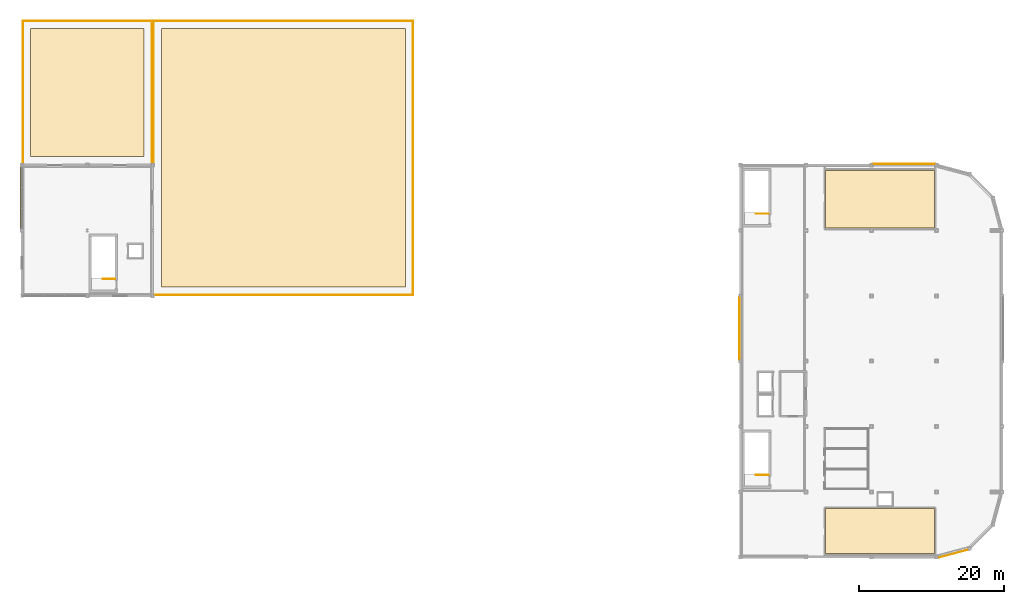
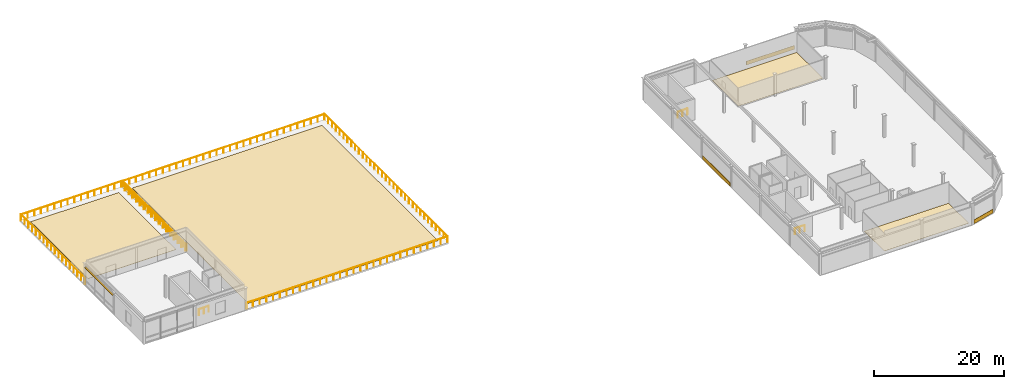
# One storey, part 13 of 14: 10 railings, 7 coverings, 1 shading device.
"""IFC4 building model written with IfcOpenShell, lengths in metres."""

from ifc_helpers import new_model, si_unit, direction, frame, origin, origin_2d, place, context, subcontext, project, spatial, polyline, rectangle, circle, outline, extrude, material, layer, layer_set, material_profile, profile_set, type_object, element, save


model = new_model("IFC4")

# Units and contexts
model_context = context("Model", 3, precision=1e-05, world=origin(), true_north=direction((0.0, 1.0)))
body_context = subcontext(model_context, "Body", "Model", "MODEL_VIEW")
ifc_project = project(units=[si_unit("LENGTHUNIT", "METRE"), si_unit("AREAUNIT", "SQUARE_METRE"), si_unit("VOLUMEUNIT", "CUBIC_METRE"), si_unit("PLANEANGLEUNIT", "RADIAN"), si_unit("MASSUNIT", "GRAM", prefix="KILO")], contexts=[model_context])

# Site, building, storey
site_placement = place(None, origin())
site = spatial("IfcSite", under=ifc_project, at=site_placement, CompositionType="ELEMENT")
building_placement = place(site_placement, origin())
building = spatial("IfcBuilding", under=site, at=building_placement, Name="Suzunagisa Mobility Hub", CompositionType="ELEMENT")
storey_placement = place(building_placement, frame((0.0, 0.0, 26.10009765625)))
storey = spatial("IfcBuildingStorey", under=building, at=storey_placement, Name="L06", CompositionType="ELEMENT", Elevation=26.10009765625)

# Railings
ifc_material_1 = material(Name="Stainless Steel SUS304", Category="metal")
railing_type_1 = type_object("IfcRailingType", Name="Interior Well Guardrail IGR-01", PredefinedType="GUARDRAIL", material=ifc_material_1)
for number, where, name in (
    (1, (57.840087890625, 82.31005859375, 0.0), "L06 ST-07 top well guard 1"),
    (2, (147.840087890625, 55.31005859375, 0.0), "L06 ST-11 top well guard 1"),
    (3, (147.840087890625, 91.31005859375, 0.0), "L06 ST-12 top well guard 1"),
):
    element("IfcRailing", number, at=place(storey_placement, frame(where)), inside=storey, type_object=railing_type_1, Name=name, PredefinedType="GUARDRAIL", context=body_context, shape_type="SweptSolid", body=[
        extrude(circle(Radius=0.02392578125, at=origin_2d()), frame((0.0, 0.0, 1.09619140625), z_axis=(-1.0, 0.0, 0.0), x_axis=(0.0, -1.0, 0.0)), (0.0, 0.0, 1.0), 1.719970703125),
        extrude(circle(Radius=0.02099609375, at=origin_2d()), origin(), (0.0, 0.0, 1.0), 1.072021484375),
        extrude(circle(Radius=0.02099609375, at=origin_2d()), frame((-0.85986328125, 0.0, 0.0)), (0.0, 0.0, 1.0), 1.072021484375),
        extrude(circle(Radius=0.02099609375, at=origin_2d()), frame((-1.719970703125, 0.0, 0.0)), (0.0, 0.0, 1.0), 1.072021484375),
    ])

# Coverings
ifc_material_2 = material(Name="Polished Aggregate Terrazzo Finish")
ifc_layer_1 = layer(ifc_material_2, 0.02001953125)
ifc_layer_set_1 = layer_set([ifc_layer_1], Name="Polished Aggregate Terrazzo Finish")
covering_type_1 = type_object("IfcCoveringType", Name="Polished Terrazzo Heavy-Traffic Flooring FLR-01", PredefinedType="FLOORING", material=ifc_layer_set_1)
covering_1_placement = place(storey_placement, origin())
element("IfcCovering", 4, at=covering_1_placement, inside=storey, type_object=covering_type_1, Name="L06 Rooftop Sports Club Spectator Lounge Terrazzo Flooring", PredefinedType="FLOORING", context=body_context, shape_type="SweptSolid", body=[
    extrude(outline(polyline([(155.719970703125, 44.52001953125), (155.719970703125, 50.679931640625), (170.679931640625, 50.679931640625), (170.679931640625, 44.52001953125), (155.719970703125, 44.52001953125)])), origin(), (0.0, 0.0, 1.0), 0.02001953125),
])
covering_2_placement = place(storey_placement, origin())
element("IfcCovering", 5, at=covering_2_placement, inside=storey, type_object=covering_type_1, Name="L06 Sports Court Equipment and Timing Control Room Terrazzo Flooring", PredefinedType="FLOORING", context=body_context, shape_type="SweptSolid", body=[
    extrude(outline(polyline([(155.719970703125, 97.280029296875), (170.679931640625, 97.280029296875), (170.679931640625, 89.320068359375), (155.719970703125, 89.320068359375), (155.719970703125, 97.280029296875)])), origin(), (0.0, 0.0, 1.0), 0.02001953125),
])
ifc_material_3 = material(Name="Vitreous Porcelain Enamel Aluminum Cladding", Category="aluminium")
ifc_layer_2 = layer(ifc_material_3, 0.034912109375)
ifc_layer_set_2 = layer_set([ifc_layer_2], Name="Vitreous Porcelain Enamel Aluminum Cladding")
covering_type_2 = type_object("IfcCoveringType", Name="Porcelain Enamel Spandrel Cladding Band CLD-01", PredefinedType="CLADDING", material=ifc_layer_set_2)
covering_3_placement = place(storey_placement, frame((173.283935546875, 44.469482421875, 0.06005859375), z_axis=(0.0, 0.0, 1.0), x_axis=(0.965929148412, 0.258806646451, 0.0)))
element("IfcCovering", 6, at=covering_3_placement, inside=storey, type_object=covering_type_2, Name="L06 Porcelain Spandrel Cladding Band CLD-52", PredefinedType="CLADDING", context=body_context, shape_type="SweptSolid", body=[
    extrude(rectangle(XDim=4.126708984375, YDim=0.034912109375, at=origin_2d()), origin(), (0.0, 0.0, 1.0), 0.719970703125),
])
for number, where, z_axis, x_axis, name in (
    (7, (166.5, 98.157470703125, 0.06005859375), (0.0, 0.0, 1.0), (-1.0, 0.0, 0.0), "L06 Porcelain Spandrel Cladding Band CLD-54"),
    (8, (143.8525390625, 75.5, 0.06005859375), (0.0, 0.0, 1.0), (0.0, -1.0, 0.0), "L06 Porcelain Spandrel Cladding Band CLD-55"),
):
    element("IfcCovering", number, at=place(storey_placement, frame(where, z_axis=z_axis, x_axis=x_axis)), inside=storey, type_object=covering_type_2, Name=name, PredefinedType="CLADDING", context=body_context, shape_type="SweptSolid", body=[
        extrude(rectangle(XDim=8.550048828125, YDim=0.034912109375, at=origin_2d()), origin(), (0.0, 0.0, 1.0), 0.719970703125),
    ])

# Shading device
ifc_material_4 = material(Name="Fluoropolymer-Coated Extruded Aluminum 6063-T5", Category="aluminium")
ifc_material_profile = material_profile(ifc_material_4, rectangle(XDim=0.280029296875, YDim=0.044921875, at=origin_2d()), Name="FIN-280x45")
ifc_profile_set = profile_set([ifc_material_profile], Name="Fluoropolymer-Coated Extruded Aluminum 6063-T5")
shading_device_type = type_object("IfcShadingDeviceType", Name="Streamline Aluminum Sunshade SF-02 FIN-280x45", PredefinedType="JALOUSIE", material=ifc_profile_set)
shading_device_placement = place(storey_placement, frame((44.892578125, 97.794921875, 3.489990234375), z_axis=(0.0, -1.0, 0.0), x_axis=(1.0, 0.0, 0.0)))
element("IfcShadingDevice", 9, at=shading_device_placement, inside=storey, type_object=shading_device_type, Name="L06 Streamline Speed-Rail Sunshade Fin SF-30", PredefinedType="JALOUSIE", context=body_context, shape_type="SweptSolid", body=[
    extrude(rectangle(XDim=0.280029296875, YDim=0.044921875, at=origin_2d()), origin(), (0.0, 0.0, 1.0), 8.58984375),
])

# Railings
ifc_material_5 = material(Name="Anodized Aluminum and Stainless Steel SUS316", Category="metal")
railing_type_2 = type_object("IfcRailingType", Name="Streamline Ship-Deck Tubular Balustrade BL-01", PredefinedType="BALUSTRADE", material=ifc_material_5)
railing_1_placement = place(storey_placement, frame((45.1201171875, 98.25, 0.0)))
element("IfcRailing", 10, at=railing_1_placement, inside=storey, type_object=railing_type_2, Name="L06 Terrace Perimeter Guardrail GR-42", PredefinedType="BALUSTRADE", context=body_context, shape_type="SweptSolid", body=[
    extrude(circle(Radius=0.02392578125, at=origin_2d()), frame((0.0, 0.0, 1.11572265625), z_axis=(0.0, 1.0, 0.0), x_axis=(-1.0, 0.0, 0.0)), (0.0, 0.0, 1.0), 19.6298828125),
    extrude(circle(Radius=0.02099609375, at=origin_2d()), origin(), (0.0, 0.0, 1.0), 1.091796875),
    extrude(circle(Radius=0.02099609375, at=origin_2d()), frame((0.0, 1.15478515625, 0.0)), (0.0, 0.0, 1.0), 1.091796875),
    extrude(circle(Radius=0.02099609375, at=origin_2d()), frame((0.0, 2.309326171875, 0.0)), (0.0, 0.0, 1.0), 1.091796875),
    extrude(circle(Radius=0.02099609375, at=origin_2d()), frame((0.0, 3.464111328125, 0.0)), (0.0, 0.0, 1.0), 1.091796875),
    extrude(circle(Radius=0.02099609375, at=origin_2d()), frame((0.0, 4.618896484375, 0.0)), (0.0, 0.0, 1.0), 1.091796875),
    extrude(circle(Radius=0.02099609375, at=origin_2d()), frame((0.0, 5.7734375, 0.0)), (0.0, 0.0, 1.0), 1.091796875),
    extrude(circle(Radius=0.02099609375, at=origin_2d()), frame((0.0, 6.92822265625, 0.0)), (0.0, 0.0, 1.0), 1.091796875),
    extrude(circle(Radius=0.02099609375, at=origin_2d()), frame((0.0, 8.0830078125, 0.0)), (0.0, 0.0, 1.0), 1.091796875),
    extrude(circle(Radius=0.02099609375, at=origin_2d()), frame((0.0, 9.237548828125, 0.0)), (0.0, 0.0, 1.0), 1.091796875),
    extrude(circle(Radius=0.02099609375, at=origin_2d()), frame((0.0, 10.392333984375, 0.0)), (0.0, 0.0, 1.0), 1.091796875),
    extrude(circle(Radius=0.02099609375, at=origin_2d()), frame((0.0, 11.546875, 0.0)), (0.0, 0.0, 1.0), 1.091796875),
    extrude(circle(Radius=0.02099609375, at=origin_2d()), frame((0.0, 12.70166015625, 0.0)), (0.0, 0.0, 1.0), 1.091796875),
    extrude(circle(Radius=0.02099609375, at=origin_2d()), frame((0.0, 13.8564453125, 0.0)), (0.0, 0.0, 1.0), 1.091796875),
    extrude(circle(Radius=0.02099609375, at=origin_2d()), frame((0.0, 15.010986328125, 0.0)), (0.0, 0.0, 1.0), 1.091796875),
    extrude(circle(Radius=0.02099609375, at=origin_2d()), frame((0.0, 16.165771484375, 0.0)), (0.0, 0.0, 1.0), 1.091796875),
    extrude(circle(Radius=0.02099609375, at=origin_2d()), frame((0.0, 17.320556640625, 0.0)), (0.0, 0.0, 1.0), 1.091796875),
    extrude(circle(Radius=0.02099609375, at=origin_2d()), frame((0.0, 18.47509765625, 0.0)), (0.0, 0.0, 1.0), 1.091796875),
    extrude(circle(Radius=0.02099609375, at=origin_2d()), frame((0.0, 19.6298828125, 0.0)), (0.0, 0.0, 1.0), 1.091796875),
])
railing_2_placement = place(storey_placement, frame((45.1201171875, 117.8798828125, 0.0)))
element("IfcRailing", 11, at=railing_2_placement, inside=storey, type_object=railing_type_2, Name="L06 Terrace Perimeter Guardrail GR-43", PredefinedType="BALUSTRADE", context=body_context, shape_type="SweptSolid", body=[
    extrude(circle(Radius=0.02392578125, at=origin_2d()), frame((0.0, 0.0, 1.11572265625), z_axis=(1.0, 0.0, 0.0), x_axis=(0.0, 1.0, 0.0)), (0.0, 0.0, 1.0), 17.759765625),
    extrude(circle(Radius=0.02099609375, at=origin_2d()), origin(), (0.0, 0.0, 1.0), 1.091796875),
    extrude(circle(Radius=0.02099609375, at=origin_2d()), frame((1.18408203125, 0.0, 0.0)), (0.0, 0.0, 1.0), 1.091796875),
    extrude(circle(Radius=0.02099609375, at=origin_2d()), frame((2.367919921875, 0.0, 0.0)), (0.0, 0.0, 1.0), 1.091796875),
    extrude(circle(Radius=0.02099609375, at=origin_2d()), frame((3.552001953125, 0.0, 0.0)), (0.0, 0.0, 1.0), 1.091796875),
    extrude(circle(Radius=0.02099609375, at=origin_2d()), frame((4.73583984375, 0.0, 0.0)), (0.0, 0.0, 1.0), 1.091796875),
    extrude(circle(Radius=0.02099609375, at=origin_2d()), frame((5.919921875, 0.0, 0.0)), (0.0, 0.0, 1.0), 1.091796875),
    extrude(circle(Radius=0.02099609375, at=origin_2d()), frame((7.10400390625, 0.0, 0.0)), (0.0, 0.0, 1.0), 1.091796875),
    extrude(circle(Radius=0.02099609375, at=origin_2d()), frame((8.287841796875, 0.0, 0.0)), (0.0, 0.0, 1.0), 1.091796875),
    extrude(circle(Radius=0.02099609375, at=origin_2d()), frame((9.471923828125, 0.0, 0.0)), (0.0, 0.0, 1.0), 1.091796875),
    extrude(circle(Radius=0.02099609375, at=origin_2d()), frame((10.65576171875, 0.0, 0.0)), (0.0, 0.0, 1.0), 1.091796875),
    extrude(circle(Radius=0.02099609375, at=origin_2d()), frame((11.83984375, 0.0, 0.0)), (0.0, 0.0, 1.0), 1.091796875),
    extrude(circle(Radius=0.02099609375, at=origin_2d()), frame((13.02392578125, 0.0, 0.0)), (0.0, 0.0, 1.0), 1.091796875),
    extrude(circle(Radius=0.02099609375, at=origin_2d()), frame((14.207763671875, 0.0, 0.0)), (0.0, 0.0, 1.0), 1.091796875),
    extrude(circle(Radius=0.02099609375, at=origin_2d()), frame((15.391845703125, 0.0, 0.0)), (0.0, 0.0, 1.0), 1.091796875),
    extrude(circle(Radius=0.02099609375, at=origin_2d()), frame((16.57568359375, 0.0, 0.0)), (0.0, 0.0, 1.0), 1.091796875),
    extrude(circle(Radius=0.02099609375, at=origin_2d()), frame((17.759765625, 0.0, 0.0)), (0.0, 0.0, 1.0), 1.091796875),
])
railing_3_placement = place(storey_placement, frame((62.8798828125, 117.8798828125, 0.0)))
element("IfcRailing", 12, at=railing_3_placement, inside=storey, type_object=railing_type_2, Name="L06 Terrace Perimeter Guardrail GR-44", PredefinedType="BALUSTRADE", context=body_context, shape_type="SweptSolid", body=[
    extrude(circle(Radius=0.02392578125, at=origin_2d()), frame((0.0, 0.0, 1.11572265625), z_axis=(0.0, -1.0, 0.0), x_axis=(1.0, 0.0, 0.0)), (0.0, 0.0, 1.0), 19.6298828125),
    extrude(circle(Radius=0.02099609375, at=origin_2d()), origin(), (0.0, 0.0, 1.0), 1.091796875),
    extrude(circle(Radius=0.02099609375, at=origin_2d()), frame((0.0, -1.15478515625, 0.0)), (0.0, 0.0, 1.0), 1.091796875),
    extrude(circle(Radius=0.02099609375, at=origin_2d()), frame((0.0, -2.309326171875, 0.0)), (0.0, 0.0, 1.0), 1.091796875),
    extrude(circle(Radius=0.02099609375, at=origin_2d()), frame((0.0, -3.464111328125, 0.0)), (0.0, 0.0, 1.0), 1.091796875),
    extrude(circle(Radius=0.02099609375, at=origin_2d()), frame((0.0, -4.618896484375, 0.0)), (0.0, 0.0, 1.0), 1.091796875),
    extrude(circle(Radius=0.02099609375, at=origin_2d()), frame((0.0, -5.7734375, 0.0)), (0.0, 0.0, 1.0), 1.091796875),
    extrude(circle(Radius=0.02099609375, at=origin_2d()), frame((0.0, -6.92822265625, 0.0)), (0.0, 0.0, 1.0), 1.091796875),
    extrude(circle(Radius=0.02099609375, at=origin_2d()), frame((0.0, -8.0830078125, 0.0)), (0.0, 0.0, 1.0), 1.091796875),
    extrude(circle(Radius=0.02099609375, at=origin_2d()), frame((0.0, -9.237548828125, 0.0)), (0.0, 0.0, 1.0), 1.091796875),
    extrude(circle(Radius=0.02099609375, at=origin_2d()), frame((0.0, -10.392333984375, 0.0)), (0.0, 0.0, 1.0), 1.091796875),
    extrude(circle(Radius=0.02099609375, at=origin_2d()), frame((0.0, -11.546875, 0.0)), (0.0, 0.0, 1.0), 1.091796875),
    extrude(circle(Radius=0.02099609375, at=origin_2d()), frame((0.0, -12.70166015625, 0.0)), (0.0, 0.0, 1.0), 1.091796875),
    extrude(circle(Radius=0.02099609375, at=origin_2d()), frame((0.0, -13.8564453125, 0.0)), (0.0, 0.0, 1.0), 1.091796875),
    extrude(circle(Radius=0.02099609375, at=origin_2d()), frame((0.0, -15.010986328125, 0.0)), (0.0, 0.0, 1.0), 1.091796875),
    extrude(circle(Radius=0.02099609375, at=origin_2d()), frame((0.0, -16.165771484375, 0.0)), (0.0, 0.0, 1.0), 1.091796875),
    extrude(circle(Radius=0.02099609375, at=origin_2d()), frame((0.0, -17.320556640625, 0.0)), (0.0, 0.0, 1.0), 1.091796875),
    extrude(circle(Radius=0.02099609375, at=origin_2d()), frame((0.0, -18.47509765625, 0.0)), (0.0, 0.0, 1.0), 1.091796875),
    extrude(circle(Radius=0.02099609375, at=origin_2d()), frame((0.0, -19.6298828125, 0.0)), (0.0, 0.0, 1.0), 1.091796875),
])

# Coverings
ifc_material_6 = material(Name="TPO Waterproof Membrane over Rigid Insulation")
ifc_layer_3 = layer(ifc_material_6, 0.044921875)
ifc_layer_set_3 = layer_set([ifc_layer_3], Name="TPO Waterproof Membrane over Rigid Insulation")
covering_type_3 = type_object("IfcCoveringType", Name="TPO Insulated Waterproof Roof Membrane RF-01", PredefinedType="ROOFING", material=ifc_layer_set_3)
covering_4_placement = place(storey_placement, origin())
element("IfcCovering", 13, at=covering_4_placement, inside=storey, type_object=covering_type_3, Name="L06 Terrace Deck Waterproofing Layer RF-59", PredefinedType="ROOFING", context=body_context, shape_type="SweptSolid", body=[
    extrude(outline(polyline([(64.199951171875, 81.199951171875), (64.199951171875, 116.800048828125), (97.800048828125, 116.800048828125), (97.800048828125, 81.199951171875), (64.199951171875, 81.199951171875)])), origin(), (0.0, 0.0, 1.0), 0.044921875),
])
covering_5_placement = place(storey_placement, origin())
element("IfcCovering", 14, at=covering_5_placement, inside=storey, type_object=covering_type_3, Name="L06 Terrace Deck Waterproofing Layer RF-60", PredefinedType="ROOFING", context=body_context, shape_type="SweptSolid", body=[
    extrude(outline(polyline([(46.199951171875, 99.199951171875), (46.199951171875, 116.800048828125), (61.800048828125, 116.800048828125), (61.800048828125, 99.199951171875), (46.199951171875, 99.199951171875)])), origin(), (0.0, 0.0, 1.0), 0.044921875),
])

# Railings
ifc_material_7 = material(Name="Stainless Steel SUS316", Category="metal")
railing_type_3 = type_object("IfcRailingType", Name="Terrace Stainless Steel Guardrail GR-01", PredefinedType="GUARDRAIL", material=ifc_material_7)
railing_4_placement = place(storey_placement, frame((63.1201171875, 98.21923828125, 0.0)))
element("IfcRailing", 15, at=railing_4_placement, inside=storey, type_object=railing_type_3, Name="L06 Terrace Perimeter Guardrail GR-38", PredefinedType="GUARDRAIL", context=body_context, shape_type="SweptSolid", body=[
    extrude(circle(Radius=0.02392578125, at=origin_2d()), frame((0.0, 0.0, 1.09619140625), z_axis=(0.0, 1.0, 0.0), x_axis=(-1.0, 0.0, 0.0)), (0.0, 0.0, 1.0), 19.66064453125),
    extrude(circle(Radius=0.02099609375, at=origin_2d()), origin(), (0.0, 0.0, 1.0), 1.072021484375),
    extrude(circle(Radius=0.02099609375, at=origin_2d()), frame((0.0, 1.156494140625, 0.0)), (0.0, 0.0, 1.0), 1.072021484375),
    extrude(circle(Radius=0.02099609375, at=origin_2d()), frame((0.0, 2.31298828125, 0.0)), (0.0, 0.0, 1.0), 1.072021484375),
    extrude(circle(Radius=0.02099609375, at=origin_2d()), frame((0.0, 3.469482421875, 0.0)), (0.0, 0.0, 1.0), 1.072021484375),
    extrude(circle(Radius=0.02099609375, at=origin_2d()), frame((0.0, 4.6259765625, 0.0)), (0.0, 0.0, 1.0), 1.072021484375),
    extrude(circle(Radius=0.02099609375, at=origin_2d()), frame((0.0, 5.782470703125, 0.0)), (0.0, 0.0, 1.0), 1.072021484375),
    extrude(circle(Radius=0.02099609375, at=origin_2d()), frame((0.0, 6.93896484375, 0.0)), (0.0, 0.0, 1.0), 1.072021484375),
    extrude(circle(Radius=0.02099609375, at=origin_2d()), frame((0.0, 8.095458984375, 0.0)), (0.0, 0.0, 1.0), 1.072021484375),
    extrude(circle(Radius=0.02099609375, at=origin_2d()), frame((0.0, 9.251953125, 0.0)), (0.0, 0.0, 1.0), 1.072021484375),
    extrude(circle(Radius=0.02099609375, at=origin_2d()), frame((0.0, 10.40869140625, 0.0)), (0.0, 0.0, 1.0), 1.072021484375),
    extrude(circle(Radius=0.02099609375, at=origin_2d()), frame((0.0, 11.565185546875, 0.0)), (0.0, 0.0, 1.0), 1.072021484375),
    extrude(circle(Radius=0.02099609375, at=origin_2d()), frame((0.0, 12.7216796875, 0.0)), (0.0, 0.0, 1.0), 1.072021484375),
    extrude(circle(Radius=0.02099609375, at=origin_2d()), frame((0.0, 13.878173828125, 0.0)), (0.0, 0.0, 1.0), 1.072021484375),
    extrude(circle(Radius=0.02099609375, at=origin_2d()), frame((0.0, 15.03466796875, 0.0)), (0.0, 0.0, 1.0), 1.072021484375),
    extrude(circle(Radius=0.02099609375, at=origin_2d()), frame((0.0, 16.191162109375, 0.0)), (0.0, 0.0, 1.0), 1.072021484375),
    extrude(circle(Radius=0.02099609375, at=origin_2d()), frame((0.0, 17.34765625, 0.0)), (0.0, 0.0, 1.0), 1.072021484375),
    extrude(circle(Radius=0.02099609375, at=origin_2d()), frame((0.0, 18.504150390625, 0.0)), (0.0, 0.0, 1.0), 1.072021484375),
    extrude(circle(Radius=0.02099609375, at=origin_2d()), frame((0.0, 19.66064453125, 0.0)), (0.0, 0.0, 1.0), 1.072021484375),
])
railing_5_placement = place(storey_placement, frame((63.1201171875, 117.8798828125, 0.0)))
element("IfcRailing", 16, at=railing_5_placement, inside=storey, type_object=railing_type_3, Name="L06 Terrace Perimeter Guardrail GR-39", PredefinedType="GUARDRAIL", context=body_context, shape_type="SweptSolid", body=[
    extrude(circle(Radius=0.02392578125, at=origin_2d()), frame((0.0, 0.0, 1.09619140625), z_axis=(1.0, 0.0, 0.0), x_axis=(0.0, 1.0, 0.0)), (0.0, 0.0, 1.0), 35.759765625),
    extrude(circle(Radius=0.02099609375, at=origin_2d()), origin(), (0.0, 0.0, 1.0), 1.072021484375),
    extrude(circle(Radius=0.02099609375, at=origin_2d()), frame((1.19189453125, 0.0, 0.0)), (0.0, 0.0, 1.0), 1.072021484375),
    extrude(circle(Radius=0.02099609375, at=origin_2d()), frame((2.384033203125, 0.0, 0.0)), (0.0, 0.0, 1.0), 1.072021484375),
    extrude(circle(Radius=0.02099609375, at=origin_2d()), frame((3.575927734375, 0.0, 0.0)), (0.0, 0.0, 1.0), 1.072021484375),
    extrude(circle(Radius=0.02099609375, at=origin_2d()), frame((4.76806640625, 0.0, 0.0)), (0.0, 0.0, 1.0), 1.072021484375),
    extrude(circle(Radius=0.02099609375, at=origin_2d()), frame((5.9599609375, 0.0, 0.0)), (0.0, 0.0, 1.0), 1.072021484375),
    extrude(circle(Radius=0.02099609375, at=origin_2d()), frame((7.15185546875, 0.0, 0.0)), (0.0, 0.0, 1.0), 1.072021484375),
    extrude(circle(Radius=0.02099609375, at=origin_2d()), frame((8.343994140625, 0.0, 0.0)), (0.0, 0.0, 1.0), 1.072021484375),
    extrude(circle(Radius=0.02099609375, at=origin_2d()), frame((9.535888671875, 0.0, 0.0)), (0.0, 0.0, 1.0), 1.072021484375),
    extrude(circle(Radius=0.02099609375, at=origin_2d()), frame((10.72802734375, 0.0, 0.0)), (0.0, 0.0, 1.0), 1.072021484375),
    extrude(circle(Radius=0.02099609375, at=origin_2d()), frame((11.919921875, 0.0, 0.0)), (0.0, 0.0, 1.0), 1.072021484375),
    extrude(circle(Radius=0.02099609375, at=origin_2d()), frame((13.11181640625, 0.0, 0.0)), (0.0, 0.0, 1.0), 1.072021484375),
    extrude(circle(Radius=0.02099609375, at=origin_2d()), frame((14.303955078125, 0.0, 0.0)), (0.0, 0.0, 1.0), 1.072021484375),
    extrude(circle(Radius=0.02099609375, at=origin_2d()), frame((15.495849609375, 0.0, 0.0)), (0.0, 0.0, 1.0), 1.072021484375),
    extrude(circle(Radius=0.02099609375, at=origin_2d()), frame((16.68798828125, 0.0, 0.0)), (0.0, 0.0, 1.0), 1.072021484375),
    extrude(circle(Radius=0.02099609375, at=origin_2d()), frame((17.8798828125, 0.0, 0.0)), (0.0, 0.0, 1.0), 1.072021484375),
    extrude(circle(Radius=0.02099609375, at=origin_2d()), frame((19.07177734375, 0.0, 0.0)), (0.0, 0.0, 1.0), 1.072021484375),
    extrude(circle(Radius=0.02099609375, at=origin_2d()), frame((20.263916015625, 0.0, 0.0)), (0.0, 0.0, 1.0), 1.072021484375),
    extrude(circle(Radius=0.02099609375, at=origin_2d()), frame((21.455810546875, 0.0, 0.0)), (0.0, 0.0, 1.0), 1.072021484375),
    extrude(circle(Radius=0.02099609375, at=origin_2d()), frame((22.64794921875, 0.0, 0.0)), (0.0, 0.0, 1.0), 1.072021484375),
    extrude(circle(Radius=0.02099609375, at=origin_2d()), frame((23.83984375, 0.0, 0.0)), (0.0, 0.0, 1.0), 1.072021484375),
    extrude(circle(Radius=0.02099609375, at=origin_2d()), frame((25.03173828125, 0.0, 0.0)), (0.0, 0.0, 1.0), 1.072021484375),
    extrude(circle(Radius=0.02099609375, at=origin_2d()), frame((26.223876953125, 0.0, 0.0)), (0.0, 0.0, 1.0), 1.072021484375),
    extrude(circle(Radius=0.02099609375, at=origin_2d()), frame((27.415771484375, 0.0, 0.0)), (0.0, 0.0, 1.0), 1.072021484375),
    extrude(circle(Radius=0.02099609375, at=origin_2d()), frame((28.60791015625, 0.0, 0.0)), (0.0, 0.0, 1.0), 1.072021484375),
    extrude(circle(Radius=0.02099609375, at=origin_2d()), frame((29.7998046875, 0.0, 0.0)), (0.0, 0.0, 1.0), 1.072021484375),
    extrude(circle(Radius=0.02099609375, at=origin_2d()), frame((30.99169921875, 0.0, 0.0)), (0.0, 0.0, 1.0), 1.072021484375),
    extrude(circle(Radius=0.02099609375, at=origin_2d()), frame((32.183837890625, 0.0, 0.0)), (0.0, 0.0, 1.0), 1.072021484375),
    extrude(circle(Radius=0.02099609375, at=origin_2d()), frame((33.375732421875, 0.0, 0.0)), (0.0, 0.0, 1.0), 1.072021484375),
    extrude(circle(Radius=0.02099609375, at=origin_2d()), frame((34.56787109375, 0.0, 0.0)), (0.0, 0.0, 1.0), 1.072021484375),
    extrude(circle(Radius=0.02099609375, at=origin_2d()), frame((35.759765625, 0.0, 0.0)), (0.0, 0.0, 1.0), 1.072021484375),
])
railing_6_placement = place(storey_placement, frame((98.8798828125, 117.8798828125, 0.0)))
element("IfcRailing", 17, at=railing_6_placement, inside=storey, type_object=railing_type_3, Name="L06 Terrace Perimeter Guardrail GR-40", PredefinedType="GUARDRAIL", context=body_context, shape_type="SweptSolid", body=[
    extrude(circle(Radius=0.02392578125, at=origin_2d()), frame((0.0, 0.0, 1.09619140625), z_axis=(0.0, -1.0, 0.0), x_axis=(1.0, 0.0, 0.0)), (0.0, 0.0, 1.0), 37.759765625),
    extrude(circle(Radius=0.02099609375, at=origin_2d()), origin(), (0.0, 0.0, 1.0), 1.072021484375),
    extrude(circle(Radius=0.02099609375, at=origin_2d()), frame((0.0, -1.179931640625, 0.0)), (0.0, 0.0, 1.0), 1.072021484375),
    extrude(circle(Radius=0.02099609375, at=origin_2d()), frame((0.0, -2.35986328125, 0.0)), (0.0, 0.0, 1.0), 1.072021484375),
    extrude(circle(Radius=0.02099609375, at=origin_2d()), frame((0.0, -3.5400390625, 0.0)), (0.0, 0.0, 1.0), 1.072021484375),
    extrude(circle(Radius=0.02099609375, at=origin_2d()), frame((0.0, -4.719970703125, 0.0)), (0.0, 0.0, 1.0), 1.072021484375),
    extrude(circle(Radius=0.02099609375, at=origin_2d()), frame((0.0, -5.89990234375, 0.0)), (0.0, 0.0, 1.0), 1.072021484375),
    extrude(circle(Radius=0.02099609375, at=origin_2d()), frame((0.0, -7.080078125, 0.0)), (0.0, 0.0, 1.0), 1.072021484375),
    extrude(circle(Radius=0.02099609375, at=origin_2d()), frame((0.0, -8.260009765625, 0.0)), (0.0, 0.0, 1.0), 1.072021484375),
    extrude(circle(Radius=0.02099609375, at=origin_2d()), frame((0.0, -9.43994140625, 0.0)), (0.0, 0.0, 1.0), 1.072021484375),
    extrude(circle(Radius=0.02099609375, at=origin_2d()), frame((0.0, -10.619873046875, 0.0)), (0.0, 0.0, 1.0), 1.072021484375),
    extrude(circle(Radius=0.02099609375, at=origin_2d()), frame((0.0, -11.7998046875, 0.0)), (0.0, 0.0, 1.0), 1.072021484375),
    extrude(circle(Radius=0.02099609375, at=origin_2d()), frame((0.0, -12.97998046875, 0.0)), (0.0, 0.0, 1.0), 1.072021484375),
    extrude(circle(Radius=0.02099609375, at=origin_2d()), frame((0.0, -14.159912109375, 0.0)), (0.0, 0.0, 1.0), 1.072021484375),
    extrude(circle(Radius=0.02099609375, at=origin_2d()), frame((0.0, -15.33984375, 0.0)), (0.0, 0.0, 1.0), 1.072021484375),
    extrude(circle(Radius=0.02099609375, at=origin_2d()), frame((0.0, -16.52001953125, 0.0)), (0.0, 0.0, 1.0), 1.072021484375),
    extrude(circle(Radius=0.02099609375, at=origin_2d()), frame((0.0, -17.699951171875, 0.0)), (0.0, 0.0, 1.0), 1.072021484375),
    extrude(circle(Radius=0.02099609375, at=origin_2d()), frame((0.0, -18.8798828125, 0.0)), (0.0, 0.0, 1.0), 1.072021484375),
    extrude(circle(Radius=0.02099609375, at=origin_2d()), frame((0.0, -20.059814453125, 0.0)), (0.0, 0.0, 1.0), 1.072021484375),
    extrude(circle(Radius=0.02099609375, at=origin_2d()), frame((0.0, -21.23974609375, 0.0)), (0.0, 0.0, 1.0), 1.072021484375),
    extrude(circle(Radius=0.02099609375, at=origin_2d()), frame((0.0, -22.419921875, 0.0)), (0.0, 0.0, 1.0), 1.072021484375),
    extrude(circle(Radius=0.02099609375, at=origin_2d()), frame((0.0, -23.599853515625, 0.0)), (0.0, 0.0, 1.0), 1.072021484375),
    extrude(circle(Radius=0.02099609375, at=origin_2d()), frame((0.0, -24.77978515625, 0.0)), (0.0, 0.0, 1.0), 1.072021484375),
    extrude(circle(Radius=0.02099609375, at=origin_2d()), frame((0.0, -25.9599609375, 0.0)), (0.0, 0.0, 1.0), 1.072021484375),
    extrude(circle(Radius=0.02099609375, at=origin_2d()), frame((0.0, -27.139892578125, 0.0)), (0.0, 0.0, 1.0), 1.072021484375),
    extrude(circle(Radius=0.02099609375, at=origin_2d()), frame((0.0, -28.31982421875, 0.0)), (0.0, 0.0, 1.0), 1.072021484375),
    extrude(circle(Radius=0.02099609375, at=origin_2d()), frame((0.0, -29.499755859375, 0.0)), (0.0, 0.0, 1.0), 1.072021484375),
    extrude(circle(Radius=0.02099609375, at=origin_2d()), frame((0.0, -30.6796875, 0.0)), (0.0, 0.0, 1.0), 1.072021484375),
    extrude(circle(Radius=0.02099609375, at=origin_2d()), frame((0.0, -31.85986328125, 0.0)), (0.0, 0.0, 1.0), 1.072021484375),
    extrude(circle(Radius=0.02099609375, at=origin_2d()), frame((0.0, -33.039794921875, 0.0)), (0.0, 0.0, 1.0), 1.072021484375),
    extrude(circle(Radius=0.02099609375, at=origin_2d()), frame((0.0, -34.2197265625, 0.0)), (0.0, 0.0, 1.0), 1.072021484375),
    extrude(circle(Radius=0.02099609375, at=origin_2d()), frame((0.0, -35.39990234375, 0.0)), (0.0, 0.0, 1.0), 1.072021484375),
    extrude(circle(Radius=0.02099609375, at=origin_2d()), frame((0.0, -36.579833984375, 0.0)), (0.0, 0.0, 1.0), 1.072021484375),
    extrude(circle(Radius=0.02099609375, at=origin_2d()), frame((0.0, -37.759765625, 0.0)), (0.0, 0.0, 1.0), 1.072021484375),
])
railing_7_placement = place(storey_placement, frame((98.8798828125, 80.1201171875, 0.0)))
element("IfcRailing", 18, at=railing_7_placement, inside=storey, type_object=railing_type_3, Name="L06 Terrace Perimeter Guardrail GR-41", PredefinedType="GUARDRAIL", context=body_context, shape_type="SweptSolid", body=[
    extrude(circle(Radius=0.02392578125, at=origin_2d()), frame((0.0, 0.0, 1.09619140625), z_axis=(-1.0, 0.0, 0.0), x_axis=(0.0, -1.0, 0.0)), (0.0, 0.0, 1.0), 35.6298828125),
    extrude(circle(Radius=0.02099609375, at=origin_2d()), origin(), (0.0, 0.0, 1.0), 1.072021484375),
    extrude(circle(Radius=0.02099609375, at=origin_2d()), frame((-1.187744140625, 0.0, 0.0)), (0.0, 0.0, 1.0), 1.072021484375),
    extrude(circle(Radius=0.02099609375, at=origin_2d()), frame((-2.375244140625, 0.0, 0.0)), (0.0, 0.0, 1.0), 1.072021484375),
    extrude(circle(Radius=0.02099609375, at=origin_2d()), frame((-3.56298828125, 0.0, 0.0)), (0.0, 0.0, 1.0), 1.072021484375),
    extrude(circle(Radius=0.02099609375, at=origin_2d()), frame((-4.750732421875, 0.0, 0.0)), (0.0, 0.0, 1.0), 1.072021484375),
    extrude(circle(Radius=0.02099609375, at=origin_2d()), frame((-5.938232421875, 0.0, 0.0)), (0.0, 0.0, 1.0), 1.072021484375),
    extrude(circle(Radius=0.02099609375, at=origin_2d()), frame((-7.1259765625, 0.0, 0.0)), (0.0, 0.0, 1.0), 1.072021484375),
    extrude(circle(Radius=0.02099609375, at=origin_2d()), frame((-8.313720703125, 0.0, 0.0)), (0.0, 0.0, 1.0), 1.072021484375),
    extrude(circle(Radius=0.02099609375, at=origin_2d()), frame((-9.501220703125, 0.0, 0.0)), (0.0, 0.0, 1.0), 1.072021484375),
    extrude(circle(Radius=0.02099609375, at=origin_2d()), frame((-10.68896484375, 0.0, 0.0)), (0.0, 0.0, 1.0), 1.072021484375),
    extrude(circle(Radius=0.02099609375, at=origin_2d()), frame((-11.876708984375, 0.0, 0.0)), (0.0, 0.0, 1.0), 1.072021484375),
    extrude(circle(Radius=0.02099609375, at=origin_2d()), frame((-13.064208984375, 0.0, 0.0)), (0.0, 0.0, 1.0), 1.072021484375),
    extrude(circle(Radius=0.02099609375, at=origin_2d()), frame((-14.251953125, 0.0, 0.0)), (0.0, 0.0, 1.0), 1.072021484375),
    extrude(circle(Radius=0.02099609375, at=origin_2d()), frame((-15.439697265625, 0.0, 0.0)), (0.0, 0.0, 1.0), 1.072021484375),
    extrude(circle(Radius=0.02099609375, at=origin_2d()), frame((-16.627197265625, 0.0, 0.0)), (0.0, 0.0, 1.0), 1.072021484375),
    extrude(circle(Radius=0.02099609375, at=origin_2d()), frame((-17.81494140625, 0.0, 0.0)), (0.0, 0.0, 1.0), 1.072021484375),
    extrude(circle(Radius=0.02099609375, at=origin_2d()), frame((-19.002685546875, 0.0, 0.0)), (0.0, 0.0, 1.0), 1.072021484375),
    extrude(circle(Radius=0.02099609375, at=origin_2d()), frame((-20.190185546875, 0.0, 0.0)), (0.0, 0.0, 1.0), 1.072021484375),
    extrude(circle(Radius=0.02099609375, at=origin_2d()), frame((-21.3779296875, 0.0, 0.0)), (0.0, 0.0, 1.0), 1.072021484375),
    extrude(circle(Radius=0.02099609375, at=origin_2d()), frame((-22.565673828125, 0.0, 0.0)), (0.0, 0.0, 1.0), 1.072021484375),
    extrude(circle(Radius=0.02099609375, at=origin_2d()), frame((-23.753173828125, 0.0, 0.0)), (0.0, 0.0, 1.0), 1.072021484375),
    extrude(circle(Radius=0.02099609375, at=origin_2d()), frame((-24.94091796875, 0.0, 0.0)), (0.0, 0.0, 1.0), 1.072021484375),
    extrude(circle(Radius=0.02099609375, at=origin_2d()), frame((-26.128662109375, 0.0, 0.0)), (0.0, 0.0, 1.0), 1.072021484375),
    extrude(circle(Radius=0.02099609375, at=origin_2d()), frame((-27.316162109375, 0.0, 0.0)), (0.0, 0.0, 1.0), 1.072021484375),
    extrude(circle(Radius=0.02099609375, at=origin_2d()), frame((-28.50390625, 0.0, 0.0)), (0.0, 0.0, 1.0), 1.072021484375),
    extrude(circle(Radius=0.02099609375, at=origin_2d()), frame((-29.691650390625, 0.0, 0.0)), (0.0, 0.0, 1.0), 1.072021484375),
    extrude(circle(Radius=0.02099609375, at=origin_2d()), frame((-30.879150390625, 0.0, 0.0)), (0.0, 0.0, 1.0), 1.072021484375),
    extrude(circle(Radius=0.02099609375, at=origin_2d()), frame((-32.06689453125, 0.0, 0.0)), (0.0, 0.0, 1.0), 1.072021484375),
    extrude(circle(Radius=0.02099609375, at=origin_2d()), frame((-33.254638671875, 0.0, 0.0)), (0.0, 0.0, 1.0), 1.072021484375),
    extrude(circle(Radius=0.02099609375, at=origin_2d()), frame((-34.442138671875, 0.0, 0.0)), (0.0, 0.0, 1.0), 1.072021484375),
    extrude(circle(Radius=0.02099609375, at=origin_2d()), frame((-35.6298828125, 0.0, 0.0)), (0.0, 0.0, 1.0), 1.072021484375),
])

save(model, "model.ifc")
